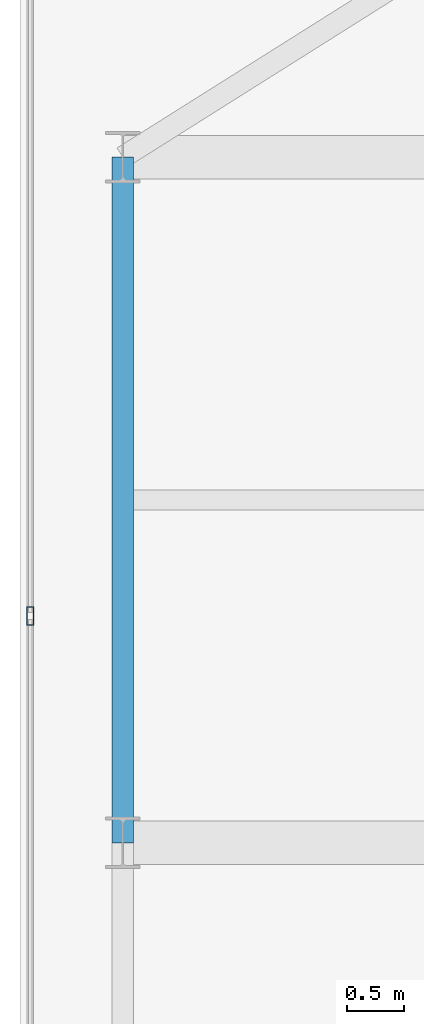
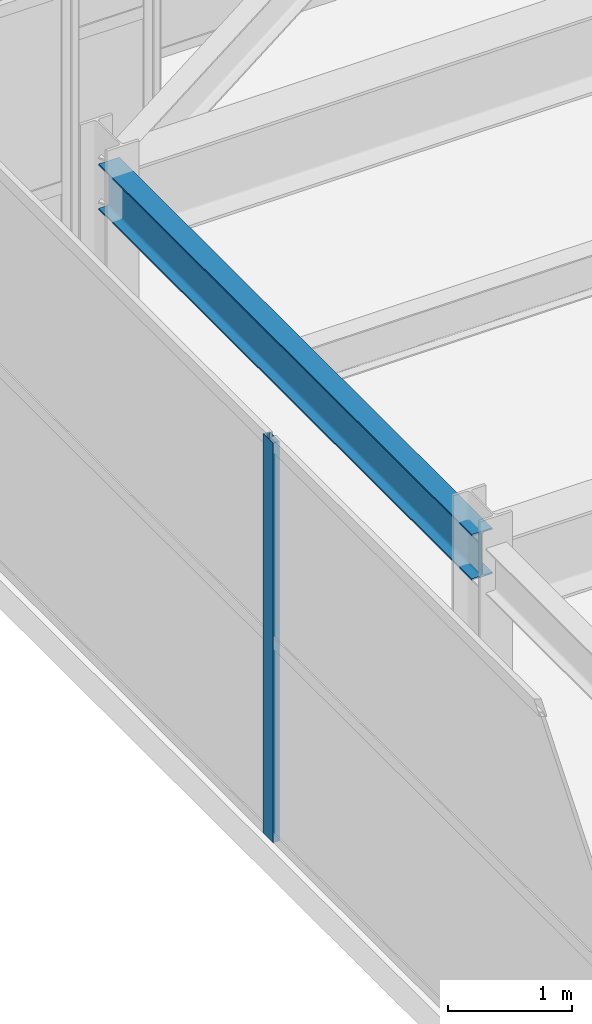
# One storey, part 13 of 32: 1 beam, 1 member, 1 element without a shape of its own.
"""IFC4 building model written with IfcOpenShell, lengths in metres."""

from ifc_helpers import new_model, si_unit, direction, frame, origin, origin_2d, place, context, subcontext, project, spatial, hollow_rectangle, i_section, extrude, source, transform, mapped, material, layer, layer_set, material_profile, profile_set, type_object, element, aggregate, save


model = new_model("IFC4")

# Units and contexts
model_context = context("Model", 3, precision=1e-05, world=origin(), true_north=direction((0.0, 1.0)))
body_context = subcontext(model_context, "Body", "Model", "MODEL_VIEW")
ifc_project = project(units=[si_unit("LENGTHUNIT", "METRE"), si_unit("AREAUNIT", "SQUARE_METRE"), si_unit("VOLUMEUNIT", "CUBIC_METRE"), si_unit("PLANEANGLEUNIT", "RADIAN"), si_unit("MASSUNIT", "GRAM", prefix="KILO")], contexts=[model_context])

# Site, building, storey
site_placement = place(None, origin())
site = spatial("IfcSite", under=ifc_project, at=site_placement, CompositionType="ELEMENT")
building_placement = place(site_placement, origin())
building = spatial("IfcBuilding", under=site, at=building_placement, Name="Khoralis Quay Care Tower", CompositionType="ELEMENT")
storey_placement = place(building_placement, frame((0.0, 0.0, 306.300048828125)))
storey = spatial("IfcBuildingStorey", under=building, at=storey_placement, Name="L80", CompositionType="ELEMENT", Elevation=306.300048828125)

# Beam
ifc_material_1 = material(Name="Steel S355", Category="steel")
ifc_material_profile_1 = material_profile(ifc_material_1, i_section(OverallWidth=0.18994140625, OverallDepth=0.449951171875, WebThickness=0.009521484375, FlangeThickness=0.0146484375, FilletRadius=0.02099609375, at=origin_2d()), Name="Steel S355")
ifc_profile_set_1 = profile_set([ifc_material_profile_1], Name="Steel S355")
beam_type = type_object("IfcBeamType", Name="BM-IPE450", PredefinedType="SPANDREL", material=ifc_profile_set_1)
shared_shape_1 = source(origin(), body_context, "Body", "SweptSolid", [
    extrude(i_section(OverallWidth=0.18994140625, OverallDepth=0.449951171875, WebThickness=0.009521484375, FlangeThickness=0.0146484375, FilletRadius=0.02099609375, at=origin_2d()), origin(), (0.0, 0.0, 1.0), 6.0),
])
beam_placement = place(storey_placement, frame((3.89990234375, 30.0, 3.695068359375), z_axis=(0.0, 1.0, 0.0), x_axis=(-1.0, 0.0, 0.0)))
element("IfcBeam", 1, at=beam_placement, inside=storey, type_object=beam_type, Name="BM-TSP-L80-12", PredefinedType="SPANDREL", context=body_context, shape_type="MappedRepresentation", body=[
    mapped(shared_shape_1, transform((0.0, 0.0, 0.0), scale=1.0)),
])

# Curtain wall, member
ifc_material_2 = material(Name="Pale anodised aluminium", Category="aluminium")
ifc_layer = layer(ifc_material_2, 0.199951171875)
ifc_layer_set = layer_set([ifc_layer], Name="Pale anodised aluminium")
curtain_wall_type = type_object("IfcCurtainWallType", Name="CW-SYS-LANTERN", PredefinedType="NOTDEFINED", material=ifc_layer_set)
curtain_wall_placement = place(storey_placement, origin())
curtain_wall = element("IfcCurtainWall", 2, at=curtain_wall_placement, inside=storey, type_object=curtain_wall_type, Name="L80 Unitised Curtain Wall CW-LN-L80-16", PredefinedType="NOTDEFINED")
ifc_material_profile_2 = material_profile(ifc_material_2, hollow_rectangle(XDim=0.06005859375, YDim=0.159912109375, WallThickness=0.00390625, at=origin_2d()), Name="Pale anodised aluminium")
ifc_profile_set_2 = profile_set([ifc_material_profile_2], Name="Pale anodised aluminium")
member_type = type_object("IfcMemberType", Name="CW-MUL-160", PredefinedType="MULLION", material=ifc_profile_set_2)
shared_shape_2 = source(origin(), body_context, "Body", "SweptSolid", [
    extrude(hollow_rectangle(XDim=0.06005859375, YDim=0.159912109375, WallThickness=0.00390625, at=origin_2d()), origin(), (0.0, 0.0, 1.0), 3.919921875),
])
member_placement = place(storey_placement, frame((3.090087890625, 31.986083984375, 0.0), z_axis=(0.0, 0.0, 1.0), x_axis=(1.0, 0.0, 0.0)))
member = element("IfcMember", 3, at=member_placement, type_object=member_type, Name="CW5 mullion 2", PredefinedType="MULLION", context=body_context, shape_type="MappedRepresentation", body=[
    mapped(shared_shape_2, transform((0.0, 0.0, 0.0), scale=1.0)),
])
aggregate(curtain_wall, [member])

save(model, "model.ifc")
